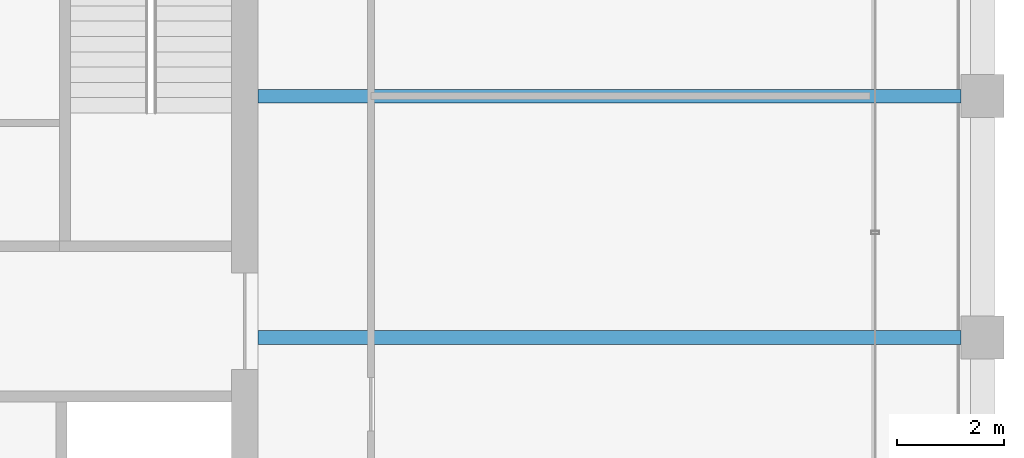
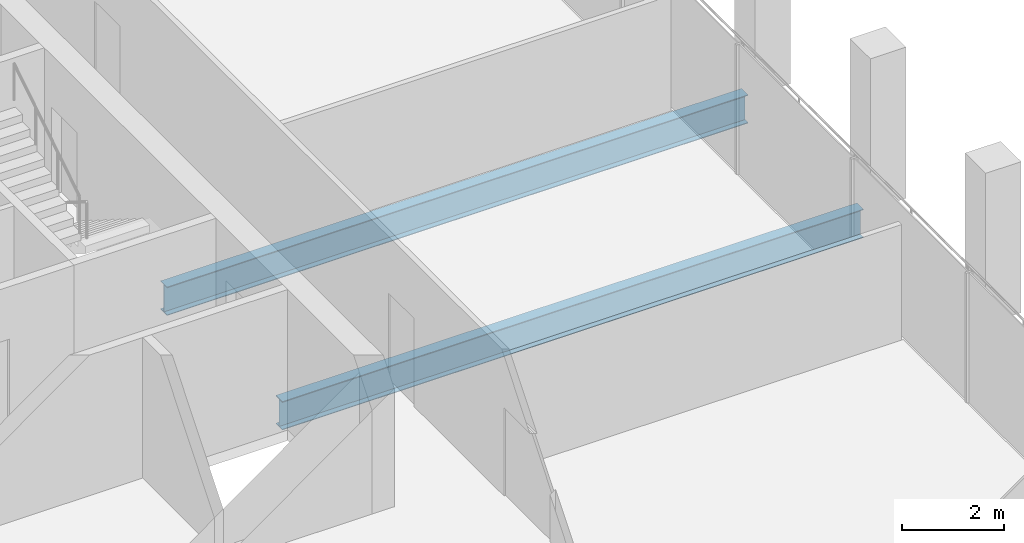
# One storey, part 16 of 30: 2 beams.
"""IFC4 building model written with IfcOpenShell, lengths in metres."""

from ifc_helpers import new_model, si_unit, direction, frame, origin, origin_2d, place, context, subcontext, project, spatial, i_section, extrude, material, material_profile, profile_set, type_object, element, save


model = new_model("IFC4")

# Units and contexts
model_context = context("Model", 3, precision=1e-05, world=origin(), true_north=direction((0.0, 1.0)))
body_context = subcontext(model_context, "Body", "Model", "MODEL_VIEW")
ifc_project = project(units=[si_unit("LENGTHUNIT", "METRE"), si_unit("AREAUNIT", "SQUARE_METRE"), si_unit("VOLUMEUNIT", "CUBIC_METRE"), si_unit("PLANEANGLEUNIT", "RADIAN"), si_unit("MASSUNIT", "GRAM", prefix="KILO")], contexts=[model_context])

# Site, building, storey
site_placement = place(None, origin())
site = spatial("IfcSite", under=ifc_project, at=site_placement, CompositionType="ELEMENT")
building_placement = place(site_placement, origin())
building = spatial("IfcBuilding", under=site, at=building_placement, Name="Altepetl Exchange Towers", CompositionType="ELEMENT")
storey_placement = place(building_placement, frame((0.0, 0.0, 228.0)))
storey = spatial("IfcBuildingStorey", under=building, at=storey_placement, Name="L58", CompositionType="ELEMENT", Elevation=228.0)

# Beams
ifc_material = material(Name="Steel S355", Category="steel")
ifc_material_profile = material_profile(ifc_material, i_section(OverallWidth=0.2529296875, OverallDepth=0.677978515625, WebThickness=0.01171875, FlangeThickness=0.016357421875, at=origin_2d()), Name="W27X84")
ifc_profile_set = profile_set([ifc_material_profile], Name="Steel S355")
beam_type = type_object("IfcBeamType", Name="Floor beam W27X84", PredefinedType="BEAM", material=ifc_profile_set)
for number, where, z_axis, x_axis, name in (
    (1, (58.5, 45.0, -0.489013671875), (1.0, 0.0, 0.0), (0.0, 1.0, 0.0), "bm:A:L58:009"),
    (2, (58.5, 49.5, -0.489013671875), (1.0, 0.0, 0.0), (0.0, 1.0, 0.0), "bm:A:L58:010"),
):
    element("IfcBeam", number, at=place(storey_placement, frame(where, z_axis=z_axis, x_axis=x_axis)), inside=storey, type_object=beam_type, Name=name, PredefinedType="BEAM", context=body_context, shape_type="SweptSolid", body=[
        extrude(i_section(OverallWidth=0.2529296875, OverallDepth=0.677978515625, WebThickness=0.01171875, FlangeThickness=0.016357421875, at=origin_2d()), origin(), (0.0, 0.0, 1.0), 13.10009765625),
    ])

save(model, "model.ifc")
